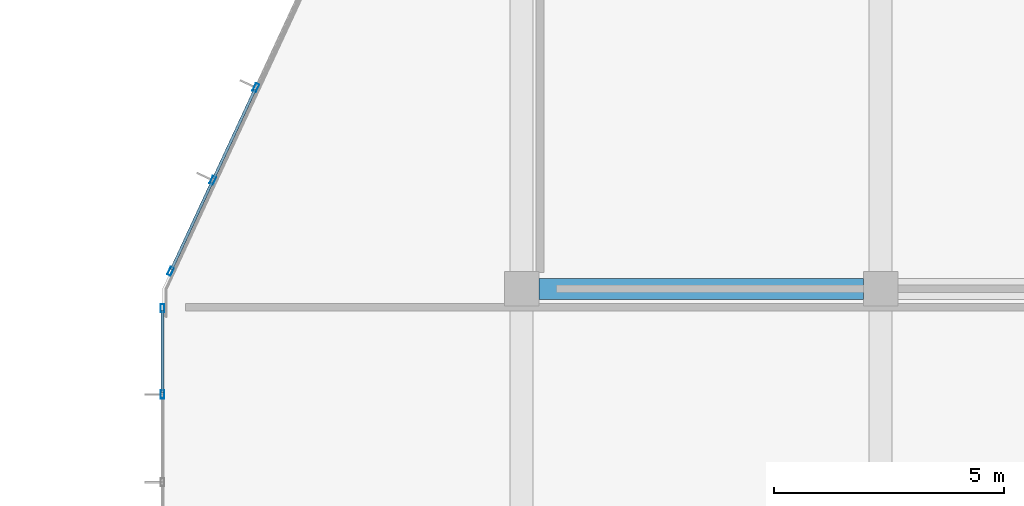
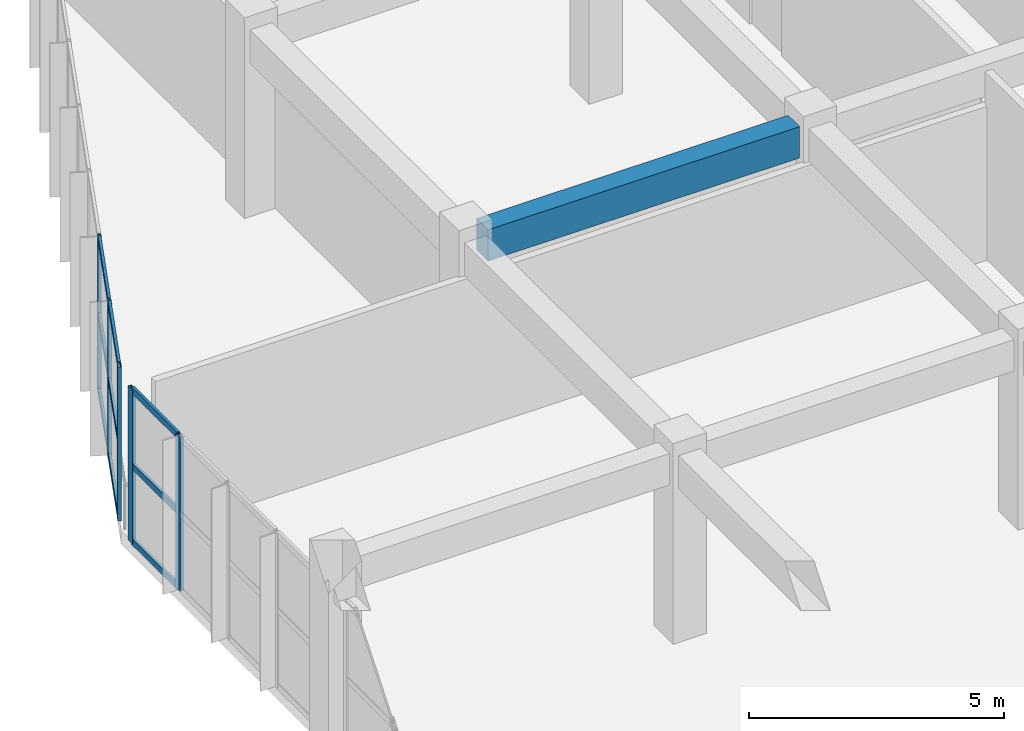
# One storey, part 24 of 175: 14 members, 1 beam, 2 elements without a shape of their own.
"""IFC4 building model written with IfcOpenShell, lengths in metres."""

from ifc_helpers import new_model, si_unit, direction, frame, origin, origin_2d, place, context, subcontext, project, spatial, rectangle, hollow_rectangle, extrude, material, layer, layer_set, material_profile, profile_set, type_object, element, aggregate, save


model = new_model("IFC4")

# Units and contexts
model_context = context("Model", 3, precision=1e-05, world=origin(), true_north=direction((0.0, 1.0)))
body_context = subcontext(model_context, "Body", "Model", "MODEL_VIEW")
ifc_project = project(units=[si_unit("LENGTHUNIT", "METRE"), si_unit("AREAUNIT", "SQUARE_METRE"), si_unit("VOLUMEUNIT", "CUBIC_METRE"), si_unit("PLANEANGLEUNIT", "RADIAN"), si_unit("MASSUNIT", "GRAM", prefix="KILO")], contexts=[model_context])

# Site, building, storey
site_placement = place(None, origin())
site = spatial("IfcSite", under=ifc_project, at=site_placement, CompositionType="ELEMENT")
building_placement = place(site_placement, origin())
building = spatial("IfcBuilding", under=site, at=building_placement, Name="Zizhar Promenade General Hospital", CompositionType="ELEMENT")
storey_placement = place(building_placement, frame((0.0, 0.0, 4.800048828125)))
storey = spatial("IfcBuildingStorey", under=building, at=storey_placement, Name="L01", CompositionType="ELEMENT", Elevation=4.800048828125)

# Beam
ifc_material_1 = material(Name="Concrete C35/45", Category="concrete")
ifc_material_profile_1 = material_profile(ifc_material_1, rectangle(XDim=0.449951171875, YDim=0.75, at=origin_2d()))
ifc_profile_set_1 = profile_set([ifc_material_profile_1], Name="Concrete C35/45")
beam_type = type_object("IfcBeamType", Name="BM-RC-450x750", PredefinedType="BEAM", material=ifc_profile_set_1)
beam_placement = place(storey_placement, frame((8.175048828125, 50.39990234375, 4.094970703125), z_axis=(1.0, 0.0, 0.0), x_axis=(0.0, 1.0, 0.0)))
element("IfcBeam", 1, at=beam_placement, inside=storey, type_object=beam_type, Name="Grid Beam X L01 (1-6)", PredefinedType="BEAM", context=body_context, shape_type="SweptSolid", body=[
    extrude(rectangle(XDim=0.449951171875, YDim=0.75, at=origin_2d()), origin(), (0.0, 0.0, 1.0), 7.050048828125),
])

# Curtain wall, members
ifc_material_2 = material(Name="Anodised aluminium 6063-T6 and low-E glass", Category="aluminium")
ifc_layer_1 = layer(ifc_material_2, 0.159912109375)
ifc_layer_set_1 = layer_set([ifc_layer_1], Name="Anodised aluminium 6063-T6 and low-E glass")
curtain_wall_type_1 = type_object("IfcCurtainWallType", Name="CW-ED-FRONT", PredefinedType="NOTDEFINED", material=ifc_layer_set_1)
curtain_wall_1_placement = place(storey_placement, origin())
curtain_wall_1 = element("IfcCurtainWall", 2, at=curtain_wall_1_placement, inside=storey, type_object=curtain_wall_type_1, Name="West Diagnostic Arm Glazed Curtain Wall L01-W5", PredefinedType="NOTDEFINED")
ifc_material_3 = material(Name="Anodised aluminium 6063-T6", Category="aluminium")
ifc_material_profile_2 = material_profile(ifc_material_3, hollow_rectangle(XDim=0.080078125, YDim=0.179931640625, WallThickness=0.0048828125, at=origin_2d()))
ifc_profile_set_2 = profile_set([ifc_material_profile_2], Name="Anodised aluminium 6063-T6")
member_type_1 = type_object("IfcMemberType", Name="CWM-ALU-180x80", PredefinedType="MULLION", material=ifc_profile_set_2)
member_1_placement = place(storey_placement, frame((0.0, 48.110107421875, 0.0), z_axis=(0.0, 0.0, 1.0), x_axis=(-1.0, 0.0, 0.0)))
member_1 = element("IfcMember", 3, at=member_1_placement, type_object=member_type_1, Name="CW-06 mullion 4", PredefinedType="MULLION", context=body_context, shape_type="SweptSolid", body=[
    extrude(hollow_rectangle(XDim=0.080078125, YDim=0.179931640625, WallThickness=0.0048828125, at=origin_2d()), origin(), (0.0, 0.0, 1.0), 3.679931640625),
])
member_2_placement = place(storey_placement, frame((0.0, 49.97998046875, 0.0), z_axis=(0.0, 0.0, 1.0), x_axis=(-1.0, 0.0, 0.0)))
member_2 = element("IfcMember", 4, at=member_2_placement, type_object=member_type_1, Name="CW-06 mullion 5", PredefinedType="MULLION", context=body_context, shape_type="SweptSolid", body=[
    extrude(hollow_rectangle(XDim=0.080078125, YDim=0.179931640625, WallThickness=0.0048828125, at=origin_2d()), origin(), (0.0, 0.0, 1.0), 3.679931640625),
])

ifc_material_4 = material(Name="Anodised aluminium 6063-T6 and low-E glass", Category="aluminium")
ifc_layer_2 = layer(ifc_material_4, 0.159912109375)
ifc_layer_set_2 = layer_set([ifc_layer_2], Name="Anodised aluminium 6063-T6 and low-E glass")
curtain_wall_type_2 = type_object("IfcCurtainWallType", Name="CW-DT-MOD2", PredefinedType="NOTDEFINED", material=ifc_layer_set_2)
curtain_wall_2_placement = place(storey_placement, origin())
curtain_wall_2 = element("IfcCurtainWall", 5, at=curtain_wall_2_placement, inside=storey, type_object=curtain_wall_type_2, Name="West Diagnostic Arm Glazed Curtain Wall L01-NW1", PredefinedType="NOTDEFINED")
member_3_placement = place(storey_placement, frame((0.1767578125, 50.781005859375, 0.0), z_axis=(0.0, 0.0, 1.0), x_axis=(-0.907007278189, 0.421114945486, 0.0)))
member_3 = element("IfcMember", 6, at=member_3_placement, type_object=member_type_1, Name="CW-08 mullion 1", PredefinedType="MULLION", context=body_context, shape_type="SweptSolid", body=[
    extrude(hollow_rectangle(XDim=0.080078125, YDim=0.179931640625, WallThickness=0.0048828125, at=origin_2d()), origin(), (0.0, 0.0, 1.0), 3.679931640625),
])
member_4_placement = place(storey_placement, frame((1.094970703125, 52.758544921875, 0.0), z_axis=(0.0, 0.0, 1.0), x_axis=(-0.907007278189, 0.421114945486, 0.0)))
member_4 = element("IfcMember", 7, at=member_4_placement, type_object=member_type_1, Name="CW-08 mullion 2", PredefinedType="MULLION", context=body_context, shape_type="SweptSolid", body=[
    extrude(hollow_rectangle(XDim=0.080078125, YDim=0.179931640625, WallThickness=0.0048828125, at=origin_2d()), origin(), (0.0, 0.0, 1.0), 3.679931640625),
])
member_5_placement = place(storey_placement, frame((2.030029296875, 54.7724609375, 0.0), z_axis=(0.0, 0.0, 1.0), x_axis=(-0.907007278189, 0.421114945486, 0.0)))
member_5 = element("IfcMember", 8, at=member_5_placement, type_object=member_type_1, Name="CW-08 mullion 3", PredefinedType="MULLION", context=body_context, shape_type="SweptSolid", body=[
    extrude(hollow_rectangle(XDim=0.080078125, YDim=0.179931640625, WallThickness=0.0048828125, at=origin_2d()), origin(), (0.0, 0.0, 1.0), 3.679931640625),
])

# Member
ifc_material_5 = material(Name="Anodised aluminium 6063-T6", Category="aluminium")
ifc_material_profile_3 = material_profile(ifc_material_5, hollow_rectangle(XDim=0.06005859375, YDim=0.14990234375, WallThickness=0.00390625, at=origin_2d()))
ifc_profile_set_3 = profile_set([ifc_material_profile_3], Name="Anodised aluminium 6063-T6")
member_type_2 = type_object("IfcMemberType", Name="CWT-ALU-150x60", PredefinedType="USERDEFINED", material=ifc_profile_set_3)
member_6_placement = place(storey_placement, frame((0.0, 48.14990234375, 0.030029296875), z_axis=(0.0, 1.0, 0.0), x_axis=(-1.0, 0.0, 0.0)))
member_6 = element("IfcMember", 9, at=member_6_placement, type_object=member_type_2, Name="CW-06 transom 4.1", ObjectType="TRANSOM", PredefinedType="USERDEFINED", context=body_context, shape_type="SweptSolid", body=[
    extrude(hollow_rectangle(XDim=0.06005859375, YDim=0.14990234375, WallThickness=0.00390625, at=origin_2d()), origin(), (0.0, 0.0, 1.0), 1.7900390625),
])

member_7_placement = place(storey_placement, frame((0.0, 48.14990234375, 1.83984375), z_axis=(0.0, 1.0, 0.0), x_axis=(-1.0, 0.0, 0.0)))
member_7 = element("IfcMember", 10, at=member_7_placement, type_object=member_type_2, Name="CW-06 transom 4.2", ObjectType="TRANSOM", PredefinedType="USERDEFINED", context=body_context, shape_type="SweptSolid", body=[
    extrude(hollow_rectangle(XDim=0.06005859375, YDim=0.14990234375, WallThickness=0.00390625, at=origin_2d()), origin(), (0.0, 0.0, 1.0), 1.7900390625),
])

member_8_placement = place(storey_placement, frame((0.0, 48.14990234375, 3.64990234375), z_axis=(0.0, 1.0, 0.0), x_axis=(-1.0, 0.0, 0.0)))
member_8 = element("IfcMember", 11, at=member_8_placement, type_object=member_type_2, Name="CW-06 transom 4.3", ObjectType="TRANSOM", PredefinedType="USERDEFINED", context=body_context, shape_type="SweptSolid", body=[
    extrude(hollow_rectangle(XDim=0.06005859375, YDim=0.14990234375, WallThickness=0.00390625, at=origin_2d()), origin(), (0.0, 0.0, 1.0), 1.7900390625),
])

aggregate(curtain_wall_1, [member_1, member_2, member_6, member_7, member_8])

member_9_placement = place(storey_placement, frame((0.193603515625, 50.817138671875, 0.030029296875), z_axis=(0.42112838219, 0.907001039533, 0.0), x_axis=(-0.907001039533, 0.42112838219, 0.0)))
member_9 = element("IfcMember", 12, at=member_9_placement, type_object=member_type_2, Name="CW-08 transom 1.1", ObjectType="TRANSOM", PredefinedType="USERDEFINED", context=body_context, shape_type="SweptSolid", body=[
    extrude(hollow_rectangle(XDim=0.06005859375, YDim=0.14990234375, WallThickness=0.00390625, at=origin_2d()), origin(), (0.0, 0.0, 1.0), 2.100341796875),
])

member_10_placement = place(storey_placement, frame((0.193603515625, 50.817138671875, 1.83984375), z_axis=(0.42112838219, 0.907001039533, 0.0), x_axis=(-0.907001039533, 0.42112838219, 0.0)))
member_10 = element("IfcMember", 13, at=member_10_placement, type_object=member_type_2, Name="CW-08 transom 1.2", ObjectType="TRANSOM", PredefinedType="USERDEFINED", context=body_context, shape_type="SweptSolid", body=[
    extrude(hollow_rectangle(XDim=0.06005859375, YDim=0.14990234375, WallThickness=0.00390625, at=origin_2d()), origin(), (0.0, 0.0, 1.0), 2.100341796875),
])

member_11_placement = place(storey_placement, frame((0.193603515625, 50.817138671875, 3.64990234375), z_axis=(0.42112838219, 0.907001039533, 0.0), x_axis=(-0.907001039533, 0.42112838219, 0.0)))
member_11 = element("IfcMember", 14, at=member_11_placement, type_object=member_type_2, Name="CW-08 transom 1.3", ObjectType="TRANSOM", PredefinedType="USERDEFINED", context=body_context, shape_type="SweptSolid", body=[
    extrude(hollow_rectangle(XDim=0.06005859375, YDim=0.14990234375, WallThickness=0.00390625, at=origin_2d()), origin(), (0.0, 0.0, 1.0), 2.100341796875),
])

member_12_placement = place(storey_placement, frame((1.11181640625, 52.794921875, 0.030029296875), z_axis=(0.421154876076, 0.906988737724, 0.0), x_axis=(-0.906988737724, 0.421154876076, 0.0)))
member_12 = element("IfcMember", 15, at=member_12_placement, type_object=member_type_2, Name="CW-08 transom 2.1", ObjectType="TRANSOM", PredefinedType="USERDEFINED", context=body_context, shape_type="SweptSolid", body=[
    extrude(hollow_rectangle(XDim=0.06005859375, YDim=0.14990234375, WallThickness=0.00390625, at=origin_2d()), origin(), (0.0, 0.0, 1.0), 2.14013671875),
])

member_13_placement = place(storey_placement, frame((1.11181640625, 52.794921875, 1.83984375), z_axis=(0.421154876076, 0.906988737724, 0.0), x_axis=(-0.906988737724, 0.421154876076, 0.0)))
member_13 = element("IfcMember", 16, at=member_13_placement, type_object=member_type_2, Name="CW-08 transom 2.2", ObjectType="TRANSOM", PredefinedType="USERDEFINED", context=body_context, shape_type="SweptSolid", body=[
    extrude(hollow_rectangle(XDim=0.06005859375, YDim=0.14990234375, WallThickness=0.00390625, at=origin_2d()), origin(), (0.0, 0.0, 1.0), 2.14013671875),
])

member_14_placement = place(storey_placement, frame((1.11181640625, 52.794921875, 3.64990234375), z_axis=(0.421154876076, 0.906988737724, 0.0), x_axis=(-0.906988737724, 0.421154876076, 0.0)))
member_14 = element("IfcMember", 17, at=member_14_placement, type_object=member_type_2, Name="CW-08 transom 2.3", ObjectType="TRANSOM", PredefinedType="USERDEFINED", context=body_context, shape_type="SweptSolid", body=[
    extrude(hollow_rectangle(XDim=0.06005859375, YDim=0.14990234375, WallThickness=0.00390625, at=origin_2d()), origin(), (0.0, 0.0, 1.0), 2.14013671875),
])

aggregate(curtain_wall_2, [member_3, member_4, member_5, member_9, member_10, member_11, member_12, member_13, member_14])

save(model, "model.ifc")
